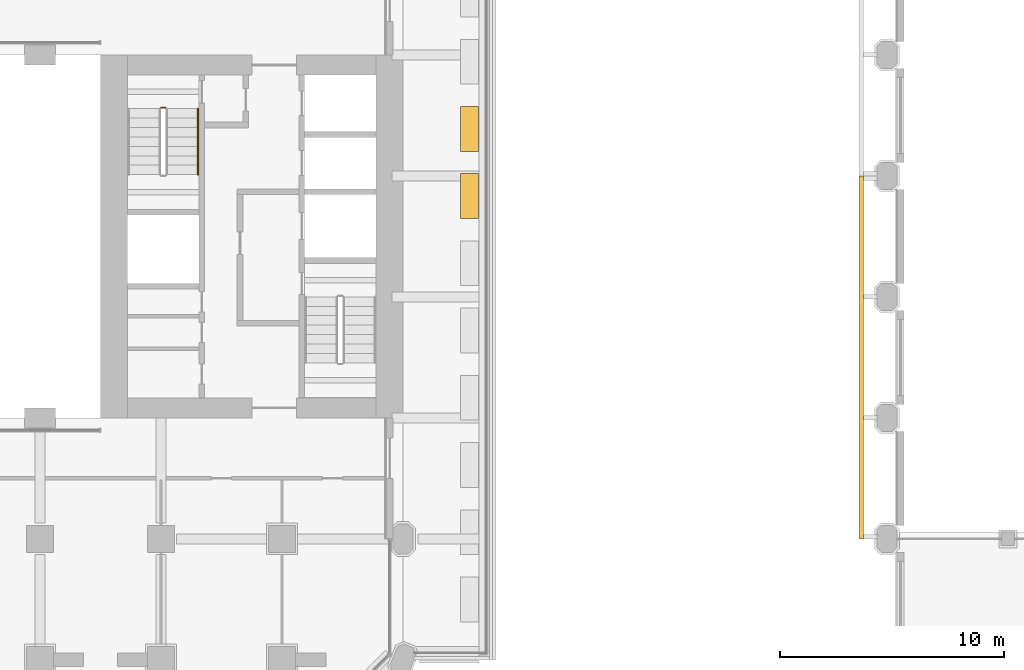
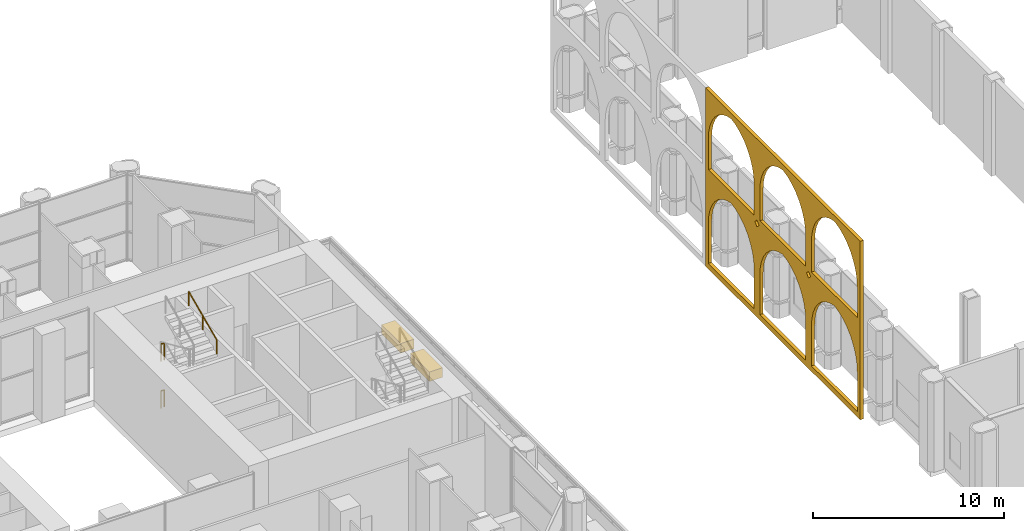
# One storey, part 26 of 34: 3 coverings, 3 railings.
"""IFC4 building model written with IfcOpenShell, lengths in metres."""

from ifc_helpers import new_model, si_unit, direction, frame, origin, origin_2d, place, context, subcontext, project, spatial, polyline, rectangle, circle, outline, extrude, material, layer, layer_set, type_object, element, save


model = new_model("IFC4")

# Units and contexts
model_context = context("Model", 3, precision=1e-05, world=origin(), true_north=direction((0.0, 1.0)))
body_context = subcontext(model_context, "Body", "Model", "MODEL_VIEW")
ifc_project = project(units=[si_unit("LENGTHUNIT", "METRE"), si_unit("AREAUNIT", "SQUARE_METRE"), si_unit("VOLUMEUNIT", "CUBIC_METRE"), si_unit("PLANEANGLEUNIT", "RADIAN"), si_unit("MASSUNIT", "GRAM", prefix="KILO")], contexts=[model_context])

# Site, building, storey
site_placement = place(None, origin())
site = spatial("IfcSite", under=ifc_project, at=site_placement, CompositionType="ELEMENT")
building_placement = place(site_placement, origin())
building = spatial("IfcBuilding", under=site, at=building_placement, Name="Tabaq Tower and Sports Hall", CompositionType="ELEMENT")
storey_placement = place(building_placement, frame((0.0, 0.0, 8.39990234375)))
storey = spatial("IfcBuildingStorey", under=building, at=storey_placement, Name="L01", CompositionType="ELEMENT", Elevation=8.39990234375)

# Coverings
ifc_material_1 = material(Name="Planting soil and drainage layer")
covering_type_1 = type_object("IfcCoveringType", Name="Planter 2000x800x600", PredefinedType="USERDEFINED", material=ifc_material_1)
for number, where, z_axis, x_axis, name in (
    (1, (46.169921875, 26.10009765625, 0.0), (0.0, 0.0, 1.0), (0.0, 1.0, 0.0), "Planter L01"),
    (2, (46.169921875, 29.10009765625, 0.0), (0.0, 0.0, 1.0), (0.0, 1.0, 0.0), "Planter L01"),
):
    element("IfcCovering", number, at=place(storey_placement, frame(where, z_axis=z_axis, x_axis=x_axis)), inside=storey, type_object=covering_type_1, Name=name, ObjectType="PLANTER", PredefinedType="USERDEFINED", context=body_context, shape_type="SweptSolid", body=[
        extrude(rectangle(XDim=2.0, YDim=0.800048828125, at=origin_2d()), origin(), (0.0, 0.0, 1.0), 0.60009765625),
    ])

# Railings
ifc_material_2 = material(Name="Stainless steel", Category="steel")
railing_type_1 = type_object("IfcRailingType", Name="Stair guard", PredefinedType="GUARDRAIL", material=ifc_material_2)
for number, where, name in (
    (3, (32.39990234375, 30.050048828125, 3.0), "L01 ST4 stair guard 4"),
    (4, (32.39990234375, 30.050048828125, 0.0), "L01 ST4 stair guard 8"),
):
    element("IfcRailing", number, at=place(storey_placement, frame(where)), inside=storey, type_object=railing_type_1, Name=name, PredefinedType="GUARDRAIL", context=body_context, shape_type="SweptSolid", body=[
        extrude(circle(Radius=0.02392578125, at=origin_2d()), frame((0.0, 0.0, 1.076171875), z_axis=(1.0, 0.0, 0.0), x_axis=(0.0, 1.0, 0.0)), (0.0, 0.0, 1.0), 0.2001953125),
        extrude(circle(Radius=0.02099609375, at=origin_2d()), origin(), (0.0, 0.0, 1.0), 1.052001953125),
        extrude(circle(Radius=0.02099609375, at=origin_2d()), frame((0.2001953125, 0.0, 0.0)), (0.0, 0.0, 1.0), 1.052001953125),
    ])
ifc_material_3 = material(Name="Stainless steel", Category="steel")
railing_type_2 = type_object("IfcRailingType", Name="Stair handrail", PredefinedType="HANDRAIL", material=ifc_material_3)
railing_placement = place(storey_placement, frame((34.050048828125, 27.06005859375, 4.6875)))
element("IfcRailing", 5, at=railing_placement, inside=storey, type_object=railing_type_2, Name="L01 ST4 stair handrail 4", PredefinedType="HANDRAIL", context=body_context, shape_type="SweptSolid", body=[
    extrude(circle(Radius=0.02392578125, at=origin_2d()), frame((0.0, 0.0, 0.8759765625), z_axis=(0.0, 0.913134858117, 0.407657614785), x_axis=(-1.0, 0.0, 0.0)), (0.0, 0.0, 1.0), 3.2197265625),
    extrude(circle(Radius=0.02099609375, at=origin_2d()), origin(), (0.0, 0.0, 1.0), 0.851806640625),
    extrude(circle(Radius=0.02099609375, at=origin_2d()), frame((0.0, 1.469970703125, 0.65625)), (0.0, 0.0, 1.0), 0.851806640625),
    extrude(circle(Radius=0.02099609375, at=origin_2d()), frame((0.0, 2.93994140625, 1.3125)), (0.0, 0.0, 1.0), 0.851806640625),
])

# Covering
ifc_material_4 = material(Name="White precast concrete C60/75 pierced screen", Category="concrete")
ifc_layer = layer(ifc_material_4, 0.199951171875)
ifc_layer_set = layer_set([ifc_layer], Name="TRACERY SCREEN 200 C60/75")
covering_type_2 = type_object("IfcCoveringType", Name="TRACERY SCREEN 200 C60/75", PredefinedType="CLADDING", material=ifc_layer_set)
covering_placement = place(storey_placement, frame((63.64990234375, 10.800048828125, 0.0), z_axis=(0.0, 0.0, 1.0), x_axis=(0.0, 1.0, 0.0)))
element("IfcCovering", 6, at=covering_placement, inside=storey, type_object=covering_type_2, Name="Tracery screen hall W 4", PredefinedType="CLADDING", context=body_context, shape_type="SweptSolid", body=[
    extrude(outline(polyline([(0.0, 0.0), (16.199951171875, 0.0), (16.199951171875, 11.400146484375), (0.0, 11.400146484375), (0.0, 0.0)]), holes=[polyline([(0.300048828125, 0.35009765625), (5.10009765625, 0.35009765625), (5.10009765625, 2.89013671875), (5.055419921875, 3.38623046875), (4.92333984375, 3.8662109375), (4.7080078125, 4.3154296875), (4.416015625, 4.71875), (4.05712890625, 5.06396484375), (3.642333984375, 5.339599609375), (3.18505859375, 5.537109375), (2.699951171875, 5.650146484375), (2.21484375, 5.537109375), (1.7578125, 5.339599609375), (1.343017578125, 5.06396484375), (0.98388671875, 4.71875), (0.69189453125, 4.3154296875), (0.4765625, 3.8662109375), (0.344482421875, 3.38623046875), (0.300048828125, 2.89013671875), (0.300048828125, 0.35009765625)]), polyline([(5.699951171875, 0.35009765625), (10.5, 0.35009765625), (10.5, 2.89013671875), (10.45556640625, 3.38623046875), (10.323486328125, 3.8662109375), (10.10791015625, 4.3154296875), (9.816162109375, 4.71875), (9.45703125, 5.06396484375), (9.042236328125, 5.339599609375), (8.5849609375, 5.537109375), (8.10009765625, 5.650146484375), (7.614990234375, 5.537109375), (7.15771484375, 5.339599609375), (6.742919921875, 5.06396484375), (6.384033203125, 4.71875), (6.092041015625, 4.3154296875), (5.87646484375, 3.8662109375), (5.744384765625, 3.38623046875), (5.699951171875, 2.89013671875), (5.699951171875, 0.35009765625)]), polyline([(11.10009765625, 0.35009765625), (15.89990234375, 0.35009765625), (15.89990234375, 2.89013671875), (15.85546875, 3.38623046875), (15.723388671875, 3.8662109375), (15.508056640625, 4.3154296875), (15.216064453125, 4.71875), (14.85693359375, 5.06396484375), (14.442138671875, 5.339599609375), (13.985107421875, 5.537109375), (13.5, 5.650146484375), (13.014892578125, 5.537109375), (12.557861328125, 5.339599609375), (12.14306640625, 5.06396484375), (11.783935546875, 4.71875), (11.491943359375, 4.3154296875), (11.276611328125, 3.8662109375), (11.14453125, 3.38623046875), (11.10009765625, 2.89013671875), (11.10009765625, 0.35009765625)]), polyline([(0.300048828125, 6.35009765625), (5.10009765625, 6.35009765625), (5.10009765625, 8.2900390625), (5.055419921875, 8.7861328125), (4.92333984375, 9.266357421875), (4.7080078125, 9.71533203125), (4.416015625, 10.118896484375), (4.05712890625, 10.4638671875), (3.642333984375, 10.73974609375), (3.18505859375, 10.937255859375), (2.699951171875, 11.050048828125), (2.21484375, 10.937255859375), (1.7578125, 10.73974609375), (1.343017578125, 10.4638671875), (0.98388671875, 10.118896484375), (0.69189453125, 9.71533203125), (0.4765625, 9.266357421875), (0.344482421875, 8.7861328125), (0.300048828125, 8.2900390625), (0.300048828125, 6.35009765625)]), polyline([(5.699951171875, 6.35009765625), (10.5, 6.35009765625), (10.5, 8.2900390625), (10.45556640625, 8.7861328125), (10.323486328125, 9.266357421875), (10.10791015625, 9.71533203125), (9.816162109375, 10.118896484375), (9.45703125, 10.4638671875), (9.042236328125, 10.73974609375), (8.5849609375, 10.937255859375), (8.10009765625, 11.050048828125), (7.614990234375, 10.937255859375), (7.15771484375, 10.73974609375), (6.742919921875, 10.4638671875), (6.384033203125, 10.118896484375), (6.092041015625, 9.71533203125), (5.87646484375, 9.266357421875), (5.744384765625, 8.7861328125), (5.699951171875, 8.2900390625), (5.699951171875, 6.35009765625)]), polyline([(11.10009765625, 6.35009765625), (15.89990234375, 6.35009765625), (15.89990234375, 8.2900390625), (15.85546875, 8.7861328125), (15.723388671875, 9.266357421875), (15.508056640625, 9.71533203125), (15.216064453125, 10.118896484375), (14.85693359375, 10.4638671875), (14.442138671875, 10.73974609375), (13.985107421875, 10.937255859375), (13.5, 11.050048828125), (13.014892578125, 10.937255859375), (12.557861328125, 10.73974609375), (12.14306640625, 10.4638671875), (11.783935546875, 10.118896484375), (11.491943359375, 9.71533203125), (11.276611328125, 9.266357421875), (11.14453125, 8.7861328125), (11.10009765625, 8.2900390625), (11.10009765625, 6.35009765625)]), polyline([(5.6201171875, 6.0), (5.39990234375, 6.22021484375), (5.179931640625, 6.0), (5.39990234375, 5.780029296875), (5.6201171875, 6.0)]), polyline([(11.02001953125, 6.0), (10.800048828125, 6.22021484375), (10.580078125, 6.0), (10.800048828125, 5.780029296875), (11.02001953125, 6.0)])]), frame((0.0, 0.10009765625, 0.0), z_axis=(0.0, -1.0, 0.0), x_axis=(1.0, 0.0, 0.0)), (0.0, 0.0, 1.0), 0.199951171875),
])

save(model, "model.ifc")
